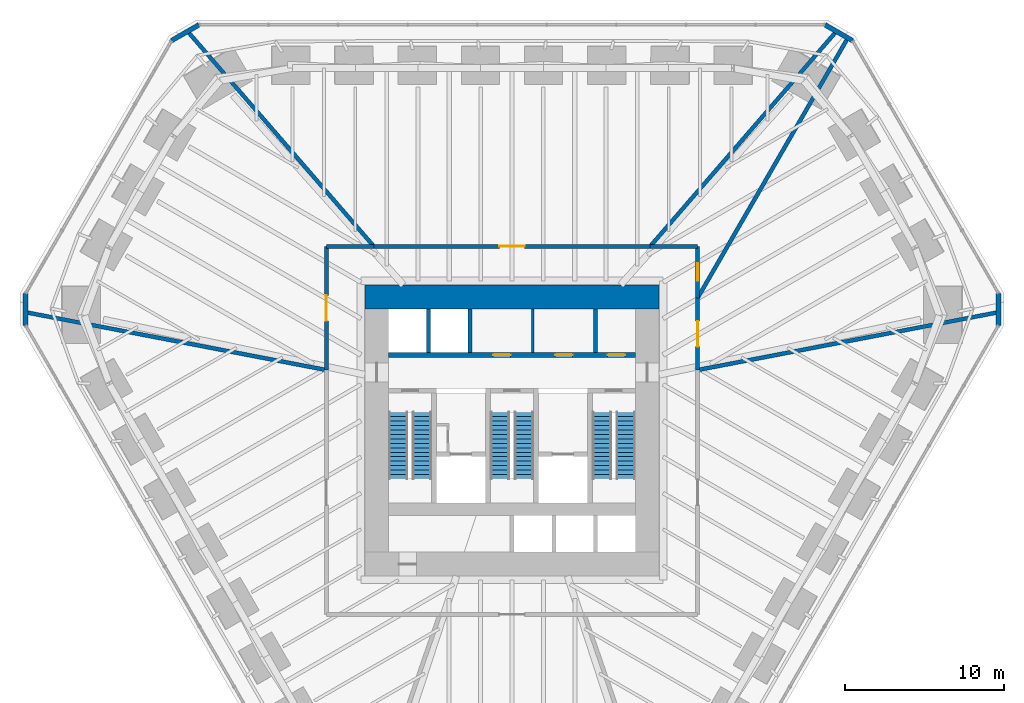
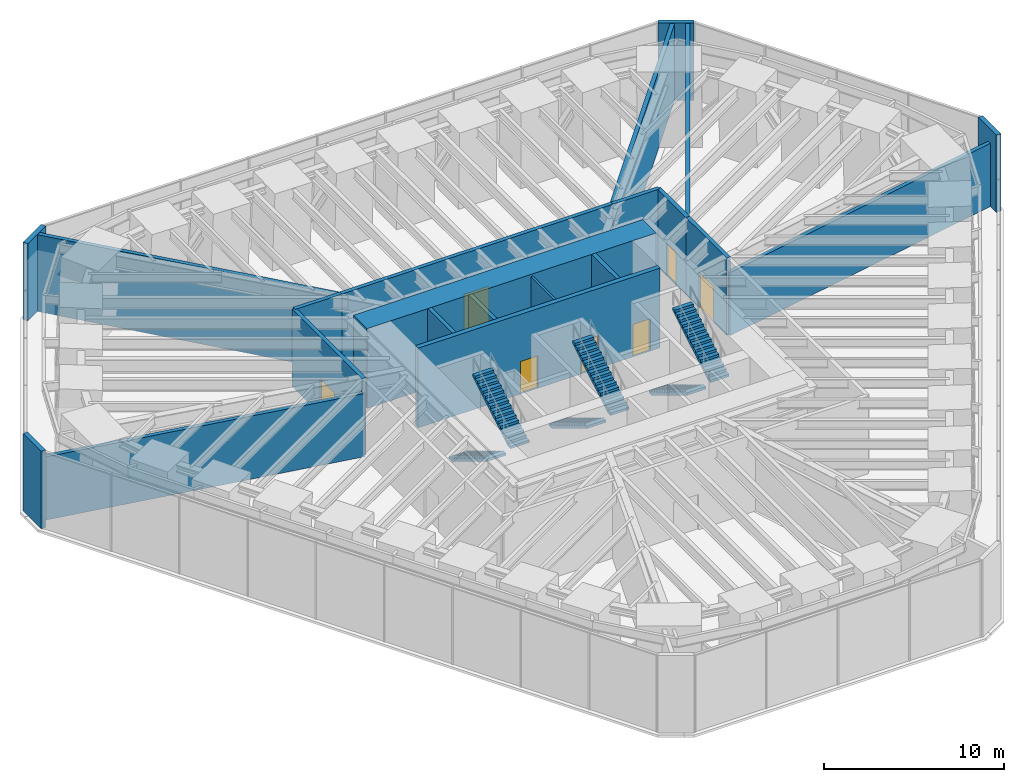
# One storey, part 12 of 13: 21 walls, 7 doors, 6 stair flights, 7 openings, 3 elements without a shape of their own.
"""IFC4 building model written with IfcOpenShell, lengths in metres."""

from ifc_helpers import new_model, si_unit, direction, frame, frame_2d, origin, place, context, subcontext, project, spatial, polyline, rectangle, outline, extrude, material, layer, layer_set, type_object, element, fill, aggregate, save


model = new_model("IFC4")

# Units and contexts
model_context = context("Model", 3, precision=1e-05, world=origin(), true_north=direction((0.0, 1.0)))
body_context = subcontext(model_context, "Body", "Model", "MODEL_VIEW")
ifc_project = project(units=[si_unit("LENGTHUNIT", "METRE"), si_unit("AREAUNIT", "SQUARE_METRE"), si_unit("VOLUMEUNIT", "CUBIC_METRE"), si_unit("PLANEANGLEUNIT", "RADIAN"), si_unit("MASSUNIT", "GRAM", prefix="KILO")], contexts=[model_context])

# Site, building, storey
site_placement = place(None, origin())
site = spatial("IfcSite", under=ifc_project, at=site_placement, CompositionType="ELEMENT")
building_placement = place(site_placement, origin())
building = spatial("IfcBuilding", under=site, at=building_placement, Name="Sandreach Pilgrim Tower", CompositionType="ELEMENT")
storey_placement = place(building_placement, frame((0.0, 0.0, 91.39990234375)))
storey = spatial("IfcBuildingStorey", under=building, at=storey_placement, Name="L22", CompositionType="ELEMENT", Elevation=91.39990234375)

# Wall
ifc_material_1 = material(Name="Gypsum board on steel studs", Category="steel")
ifc_layer_1 = layer(ifc_material_1, 0.14990234375)
ifc_layer_set_1 = layer_set([ifc_layer_1], Name="Back of house wall 150")
wall_type_1 = type_object("IfcWallType", Name="Back of house wall 150", PredefinedType="PARTITIONING", material=ifc_layer_set_1)
wall_1_placement = place(storey_placement, frame((1.3125, 3.35009765625, 0.0), z_axis=(0.0, 0.0, 1.0), x_axis=(0.0, 1.0, 0.0)))
element("IfcWall", 1, at=wall_1_placement, inside=storey, type_object=wall_type_1, Name="Core room partition L22 1", PredefinedType="PARTITIONING", context=body_context, shape_type="SweptSolid", body=[
    extrude(rectangle(XDim=2.75, YDim=0.14990234375, at=frame_2d((1.375, 0.0))), origin(), (0.0, 0.0, 1.0), 5.239990234375),
])

# Wall, openings, doors
ifc_material_2 = material(Name="Concrete 10000 psi", Category="concrete")
ifc_layer_2 = layer(ifc_material_2, 0.300048828125)
ifc_layer_set_2 = layer_set([ifc_layer_2], Name="Core inner wall 300")
wall_type_2 = type_object("IfcWallType", Name="Core inner wall 300", PredefinedType="SHEAR", material=ifc_layer_set_2)
wall_2_placement = place(storey_placement, frame((-7.75, 3.199951171875, 0.0), z_axis=(0.0, 0.0, 1.0), x_axis=(1.0, 0.0, 0.0)))
wall_2 = element("IfcWall", 2, at=wall_2_placement, inside=storey, type_object=wall_type_2, Name="Core wall PN L22", PredefinedType="SHEAR", context=body_context, shape_type="SweptSolid", body=[
    extrude(rectangle(XDim=15.5, YDim=0.300048828125, at=frame_2d((7.75, 0.0))), origin(), (0.0, 0.0, 1.0), 5.400146484375),
])
opening_1_placement = place(wall_2_placement, frame((6.56884765625, 0.0, 0.0)))
opening_1 = element("IfcOpeningElement", 3, at=opening_1_placement, cuts=wall_2, Name="Opening D11L", PredefinedType="OPENING", context=body_context, shape_type="SweptSolid", body=[
    extrude(rectangle(XDim=1.10009765625, YDim=2.199951171875, at=frame_2d((0.550048828125, 1.10009765625))), frame((0.0, 0.14990234375, 0.0), z_axis=(0.0, -1.0, 0.0), x_axis=(1.0, 0.0, 0.0)), (0.0, 0.0, 1.0), 0.300048828125),
])
opening_2_placement = place(wall_2_placement, frame((10.456298828125, 0.0, 0.0)))
opening_2 = element("IfcOpeningElement", 4, at=opening_2_placement, cuts=wall_2, Name="Opening D11L", PredefinedType="OPENING", context=body_context, shape_type="SweptSolid", body=[
    extrude(rectangle(XDim=1.10009765625, YDim=2.199951171875, at=frame_2d((0.550048828125, 1.10009765625))), frame((0.0, 0.14990234375, 0.0), z_axis=(0.0, -1.0, 0.0), x_axis=(1.0, 0.0, 0.0)), (0.0, 0.0, 1.0), 0.300048828125),
])
opening_3_placement = place(wall_2_placement, frame((13.762451171875, 0.0, 0.0)))
opening_3 = element("IfcOpeningElement", 5, at=opening_3_placement, cuts=wall_2, Name="Opening D11L", PredefinedType="OPENING", context=body_context, shape_type="SweptSolid", body=[
    extrude(rectangle(XDim=1.10009765625, YDim=2.199951171875, at=frame_2d((0.550048828125, 1.10009765625))), frame((0.0, 0.14990234375, 0.0), z_axis=(0.0, -1.0, 0.0), x_axis=(1.0, 0.0, 0.0)), (0.0, 0.0, 1.0), 0.300048828125),
])
ifc_material_3 = material(Name="Steel door and frame, smoke seals", Category="steel")
door_type_1 = type_object("IfcDoorType", Name="Core room door", OperationType="SINGLE_SWING_LEFT", PredefinedType="DOOR", material=ifc_material_3)
door_1_placement = place(opening_1_placement, origin())
door_1 = element("IfcDoor", 6, at=door_1_placement, inside=storey, type_object=door_type_1, Name="Door plant store 22K1", OperationType="SINGLE_SWING_LEFT", OverallHeight=2.199951171875, OverallWidth=1.10009765625, PredefinedType="DOOR", context=body_context, shape_type="SweptSolid", body=[
    extrude(rectangle(XDim=1.10009765625, YDim=2.199951171875, at=frame_2d((0.550048828125, 1.10009765625))), frame((0.0, 0.02490234375, 0.0), z_axis=(0.0, -1.0, 0.0), x_axis=(1.0, 0.0, 0.0)), (0.0, 0.0, 1.0), 0.050048828125),
])
fill(opening_1, door_1)
door_2_placement = place(opening_2_placement, origin())
door_2 = element("IfcDoor", 7, at=door_2_placement, inside=storey, type_object=door_type_1, Name="Door plant spares store 22K2", OperationType="SINGLE_SWING_RIGHT", OverallHeight=2.199951171875, OverallWidth=1.10009765625, PredefinedType="DOOR", context=body_context, shape_type="SweptSolid", body=[
    extrude(rectangle(XDim=1.10009765625, YDim=2.199951171875, at=frame_2d((0.550048828125, 1.10009765625))), frame((0.0, 0.02490234375, 0.0), z_axis=(0.0, -1.0, 0.0), x_axis=(1.0, 0.0, 0.0)), (0.0, 0.0, 1.0), 0.050048828125),
])
fill(opening_2, door_2)
door_3_placement = place(opening_3_placement, origin())
door_3 = element("IfcDoor", 8, at=door_3_placement, inside=storey, type_object=door_type_1, Name="Door it room 22K3", OperationType="SINGLE_SWING_RIGHT", OverallHeight=2.199951171875, OverallWidth=1.10009765625, PredefinedType="DOOR", context=body_context, shape_type="SweptSolid", body=[
    extrude(rectangle(XDim=1.10009765625, YDim=2.199951171875, at=frame_2d((0.550048828125, 1.10009765625))), frame((0.0, 0.02490234375, 0.0), z_axis=(0.0, -1.0, 0.0), x_axis=(1.0, 0.0, 0.0)), (0.0, 0.0, 1.0), 0.050048828125),
])
fill(opening_3, door_3)

# Walls
ifc_material_4 = material(Name="Concrete 10000 psi", Category="concrete")
ifc_layer_3 = layer(ifc_material_4, 1.5)
ifc_layer_set_3 = layer_set([ifc_layer_3], Name="Core wall 1500")
wall_type_3 = type_object("IfcWallType", Name="Core wall 1500", PredefinedType="SHEAR", material=ifc_layer_set_3)
wall_3_placement = place(storey_placement, frame((-9.25, 6.85009765625, 0.0), z_axis=(0.0, 0.0, 1.0), x_axis=(1.0, 0.0, 0.0)))
element("IfcWall", 9, at=wall_3_placement, inside=storey, type_object=wall_type_3, Name="Core wall N L22", PredefinedType="SHEAR", context=body_context, shape_type="SweptSolid", body=[
    extrude(rectangle(XDim=18.5, YDim=1.5, at=frame_2d((9.25, 0.0))), origin(), (0.0, 0.0, 1.0), 5.400146484375),
])
ifc_material_5 = material(Name="Acoustic gypsum board wall, double frame", Category="gypsum")
ifc_layer_4 = layer(ifc_material_5, 0.25)
ifc_layer_set_4 = layer_set([ifc_layer_4], Name="Hall partition 250")
wall_type_4 = type_object("IfcWallType", Name="Hall partition 250", PredefinedType="PARTITIONING", material=ifc_layer_set_4)
wall_4_placement = place(storey_placement, frame((-30.590576171875, 5.88427734375, 0.0), z_axis=(0.0, 0.0, 1.0), x_axis=(0.982047909255, -0.188631662049, 0.0)))
element("IfcWall", 10, at=wall_4_placement, inside=storey, type_object=wall_type_4, Name="Hall partition L22-001", PredefinedType="PARTITIONING", context=body_context, shape_type="SweptSolid", body=[
    extrude(rectangle(XDim=19.2666015625, YDim=0.25, at=frame_2d((9.63330078125, 0.0))), origin(), (0.0, 0.0, 1.0), 4.27490234375),
])

# Wall, opening, door
wall_5_placement = place(storey_placement, frame((-11.669921875, 10.02001953125, 0.0), z_axis=(0.0, 0.0, 1.0), x_axis=(0.0, -1.0, 0.0)))
wall_5 = element("IfcWall", 11, at=wall_5_placement, inside=storey, type_object=wall_type_4, Name="Hall partition L22-004", PredefinedType="PARTITIONING", context=body_context, shape_type="SweptSolid", body=[
    extrude(rectangle(XDim=7.77001953125, YDim=0.25, at=frame_2d((3.885009765625, 0.0))), origin(), (0.0, 0.0, 1.0), 5.239990234375),
])
opening_4_placement = place(wall_5_placement, frame((3.0849609375, 0.0, 0.0)))
opening_4 = element("IfcOpeningElement", 12, at=opening_4_placement, cuts=wall_5, Name="Opening D16-06", PredefinedType="OPENING", context=body_context, shape_type="SweptSolid", body=[
    extrude(rectangle(XDim=1.60009765625, YDim=2.39990234375, at=frame_2d((0.800048828125, 1.199951171875))), frame((0.0, 0.125, 0.0), z_axis=(0.0, -1.0, 0.0), x_axis=(1.0, 0.0, 0.0)), (0.0, 0.0, 1.0), 0.25),
])
ifc_material_6 = material(Name="Steel door and frame", Category="steel")
door_type_2 = type_object("IfcDoorType", Name="Hall double door", OperationType="DOUBLE_DOOR_SINGLE_SWING", PredefinedType="DOOR", material=ifc_material_6)
door_4_placement = place(opening_4_placement, origin())
door_4 = element("IfcDoor", 13, at=door_4_placement, inside=storey, type_object=door_type_2, Name="Door 2206", OperationType="DOUBLE_DOOR_SINGLE_SWING", OverallHeight=2.39990234375, OverallWidth=1.60009765625, PredefinedType="DOOR", context=body_context, shape_type="SweptSolid", body=[
    extrude(rectangle(XDim=1.60009765625, YDim=2.39990234375, at=frame_2d((0.800048828125, 1.199951171875))), frame((0.0, 0.02490234375, 0.0), z_axis=(0.0, -1.0, 0.0), x_axis=(1.0, 0.0, 0.0)), (0.0, 0.0, 1.0), 0.050048828125),
])
fill(opening_4, door_4)

# Walls
wall_6_placement = place(storey_placement, frame((-8.679931640625, 10.02001953125, 0.0), z_axis=(0.0, 0.0, 1.0), x_axis=(-0.654827191867, 0.755778637427, 0.0)))
element("IfcWall", 14, at=wall_6_placement, inside=storey, type_object=wall_type_4, Name="Hall partition L22-006", PredefinedType="PARTITIONING", context=body_context, shape_type="SweptSolid", body=[
    extrude(rectangle(XDim=17.8984375, YDim=0.25, at=frame_2d((8.94921875, 0.0))), origin(), (0.0, 0.0, 1.0), 5.2001953125),
])
wall_7_placement = place(storey_placement, frame((-8.679931640625, 10.02001953125, 0.0), z_axis=(0.0, 0.0, 1.0), x_axis=(-1.0, 0.0, 0.0)))
element("IfcWall", 15, at=wall_7_placement, inside=storey, type_object=wall_type_4, Name="Hall partition L22-007", PredefinedType="PARTITIONING", context=body_context, shape_type="SweptSolid", body=[
    extrude(rectangle(XDim=2.989990234375, YDim=0.25, at=frame_2d((1.4951171875, 0.0))), origin(), (0.0, 0.0, 1.0), 5.239990234375),
])

# Wall, opening, door
wall_8_placement = place(storey_placement, frame((8.679931640625, 10.02001953125, 0.0), z_axis=(0.0, 0.0, 1.0), x_axis=(-1.0, 0.0, 0.0)))
wall_8 = element("IfcWall", 16, at=wall_8_placement, inside=storey, type_object=wall_type_4, Name="Hall partition L22-010", PredefinedType="PARTITIONING", context=body_context, shape_type="SweptSolid", body=[
    extrude(rectangle(XDim=17.35986328125, YDim=0.25, at=frame_2d((8.679931640625, 0.0))), origin(), (0.0, 0.0, 1.0), 5.239990234375),
])
opening_5_placement = place(wall_8_placement, frame((7.8798828125, 0.0, 0.0)))
opening_5 = element("IfcOpeningElement", 17, at=opening_5_placement, cuts=wall_8, Name="Opening D16-01", PredefinedType="OPENING", context=body_context, shape_type="SweptSolid", body=[
    extrude(rectangle(XDim=1.60009765625, YDim=2.39990234375, at=frame_2d((0.800048828125, 1.199951171875))), frame((0.0, 0.125, 0.0), z_axis=(0.0, -1.0, 0.0), x_axis=(1.0, 0.0, 0.0)), (0.0, 0.0, 1.0), 0.25),
])
door_5_placement = place(opening_5_placement, origin())
door_5 = element("IfcDoor", 18, at=door_5_placement, inside=storey, type_object=door_type_2, Name="Door 2201", OperationType="DOUBLE_DOOR_SINGLE_SWING", OverallHeight=2.39990234375, OverallWidth=1.60009765625, PredefinedType="DOOR", context=body_context, shape_type="SweptSolid", body=[
    extrude(rectangle(XDim=1.60009765625, YDim=2.39990234375, at=frame_2d((0.800048828125, 1.199951171875))), frame((0.0, 0.02490234375, 0.0), z_axis=(0.0, -1.0, 0.0), x_axis=(1.0, 0.0, 0.0)), (0.0, 0.0, 1.0), 0.050048828125),
])
fill(opening_5, door_5)

wall_9_placement = place(storey_placement, frame((11.669921875, 2.25, 0.0), z_axis=(0.0, 0.0, 1.0), x_axis=(0.0, 1.0, 0.0)))
wall_9 = element("IfcWall", 19, at=wall_9_placement, inside=storey, type_object=wall_type_4, Name="Hall partition L22-013", PredefinedType="PARTITIONING", context=body_context, shape_type="SweptSolid", body=[
    extrude(rectangle(XDim=4.530029296875, YDim=0.25, at=frame_2d((2.26513671875, 0.0))), origin(), (0.0, 0.0, 1.0), 5.239990234375),
])
opening_6_placement = place(wall_9_placement, frame((1.465087890625, 0.0, 0.0)))
opening_6 = element("IfcOpeningElement", 20, at=opening_6_placement, cuts=wall_9, Name="Opening D16-02", PredefinedType="OPENING", context=body_context, shape_type="SweptSolid", body=[
    extrude(rectangle(XDim=1.60009765625, YDim=2.39990234375, at=frame_2d((0.800048828125, 1.199951171875))), frame((0.0, 0.125, 0.0), z_axis=(0.0, -1.0, 0.0), x_axis=(1.0, 0.0, 0.0)), (0.0, 0.0, 1.0), 0.25),
])
door_6_placement = place(opening_6_placement, origin())
door_6 = element("IfcDoor", 21, at=door_6_placement, inside=storey, type_object=door_type_2, Name="Door 2202", OperationType="DOUBLE_DOOR_SINGLE_SWING", OverallHeight=2.39990234375, OverallWidth=1.60009765625, PredefinedType="DOOR", context=body_context, shape_type="SweptSolid", body=[
    extrude(rectangle(XDim=1.60009765625, YDim=2.39990234375, at=frame_2d((0.800048828125, 1.199951171875))), frame((0.0, 0.02490234375, 0.0), z_axis=(0.0, -1.0, 0.0), x_axis=(1.0, 0.0, 0.0)), (0.0, 0.0, 1.0), 0.050048828125),
])
fill(opening_6, door_6)

wall_10_placement = place(storey_placement, frame((11.669921875, 6.780029296875, 0.0), z_axis=(0.0, 0.0, 1.0), x_axis=(0.0, 1.0, 0.0)))
wall_10 = element("IfcWall", 22, at=wall_10_placement, inside=storey, type_object=wall_type_4, Name="Hall partition L22-014", PredefinedType="PARTITIONING", context=body_context, shape_type="SweptSolid", body=[
    extrude(rectangle(XDim=3.239990234375, YDim=0.25, at=frame_2d((1.6201171875, 0.0))), origin(), (0.0, 0.0, 1.0), 5.239990234375),
])
opening_7_placement = place(wall_10_placement, frame((1.070068359375, 0.0, 0.0)))
opening_7 = element("IfcOpeningElement", 23, at=opening_7_placement, cuts=wall_10, Name="Opening D11H-N1", PredefinedType="OPENING", context=body_context, shape_type="SweptSolid", body=[
    extrude(rectangle(XDim=1.10009765625, YDim=2.199951171875, at=frame_2d((0.550048828125, 1.10009765625))), frame((0.0, 0.125, 0.0), z_axis=(0.0, -1.0, 0.0), x_axis=(1.0, 0.0, 0.0)), (0.0, 0.0, 1.0), 0.25),
])
ifc_material_7 = material(Name="Steel door and frame", Category="steel")
door_type_3 = type_object("IfcDoorType", Name="Back of house door", OperationType="SINGLE_SWING_LEFT", PredefinedType="DOOR", material=ifc_material_7)
door_7_placement = place(opening_7_placement, origin())
door_7 = element("IfcDoor", 24, at=door_7_placement, inside=storey, type_object=door_type_3, Name="Door 22N1", OperationType="SINGLE_SWING_LEFT", OverallHeight=2.199951171875, OverallWidth=1.10009765625, PredefinedType="DOOR", context=body_context, shape_type="SweptSolid", body=[
    extrude(rectangle(XDim=1.10009765625, YDim=2.199951171875, at=frame_2d((0.550048828125, 1.10009765625))), frame((0.0, 0.02490234375, 0.0), z_axis=(0.0, -1.0, 0.0), x_axis=(1.0, 0.0, 0.0)), (0.0, 0.0, 1.0), 0.050048828125),
])
fill(opening_7, door_7)

# Walls
wall_11_placement = place(storey_placement, frame((11.669921875, 6.780029296875, 0.0), z_axis=(0.0, 0.0, 1.0), x_axis=(0.500122303093, 0.865954780545, 0.0)))
element("IfcWall", 25, at=wall_11_placement, inside=storey, type_object=wall_type_4, Name="Hall partition L22-015", PredefinedType="PARTITIONING", context=body_context, shape_type="SweptSolid", body=[
    extrude(rectangle(XDim=18.885498046875, YDim=0.25, at=frame_2d((9.44287109375, 0.0))), origin(), (0.0, 0.0, 1.0), 5.2001953125),
])
wall_12_placement = place(storey_placement, frame((11.669921875, 10.02001953125, 0.0), z_axis=(0.0, 0.0, 1.0), x_axis=(-1.0, 0.0, 0.0)))
element("IfcWall", 26, at=wall_12_placement, inside=storey, type_object=wall_type_4, Name="Hall partition L22-016", PredefinedType="PARTITIONING", context=body_context, shape_type="SweptSolid", body=[
    extrude(rectangle(XDim=2.989990234375, YDim=0.25, at=frame_2d((1.4951171875, 0.0))), origin(), (0.0, 0.0, 1.0), 5.239990234375),
])
wall_13_placement = place(storey_placement, frame((20.400390625, 23.54736328125, 0.0), z_axis=(0.0, 0.0, 1.0), x_axis=(-0.654827191867, -0.755778637427, 0.0)))
element("IfcWall", 27, at=wall_13_placement, inside=storey, type_object=wall_type_4, Name="Hall partition L22-017", PredefinedType="PARTITIONING", context=body_context, shape_type="SweptSolid", body=[
    extrude(rectangle(XDim=17.8984375, YDim=0.25, at=frame_2d((8.94921875, 0.0))), origin(), (0.0, 0.0, 1.0), 5.2001953125),
])
wall_14_placement = place(storey_placement, frame((30.590576171875, 5.88427734375, 0.0), z_axis=(0.0, 0.0, 1.0), x_axis=(-0.982047909255, -0.188631662049, 0.0)))
element("IfcWall", 28, at=wall_14_placement, inside=storey, type_object=wall_type_4, Name="Hall partition L22-018", PredefinedType="PARTITIONING", context=body_context, shape_type="SweptSolid", body=[
    extrude(rectangle(XDim=19.2666015625, YDim=0.25, at=frame_2d((9.63330078125, 0.0))), origin(), (0.0, 0.0, 1.0), 4.27490234375),
])
ifc_material_8 = material(Name="Gypsum shaft wall on steel studs, two layers of shaft liner board", Category="steel")
ifc_layer_5 = layer(ifc_material_8, 0.25)
ifc_layer_set_5 = layer_set([ifc_layer_5], Name="Shaft partition 250")
wall_type_5 = type_object("IfcWallType", Name="Shaft partition 250", PredefinedType="PARTITIONING", material=ifc_layer_set_5)
for number, where, z_axis, x_axis, name in (
    (29, (-5.25, 3.35009765625, 0.0), (0.0, 0.0, 1.0), (0.0, 1.0, 0.0), "Shaft partition NS0 L22"),
    (30, (-2.625, 3.35009765625, 0.0), (0.0, 0.0, 1.0), (0.0, 1.0, 0.0), "Shaft partition NS1 L22"),
    (31, (5.25, 3.35009765625, 0.0), (0.0, 0.0, 1.0), (0.0, 1.0, 0.0), "Shaft partition NS4 L22"),
):
    element("IfcWall", number, at=place(storey_placement, frame(where, z_axis=z_axis, x_axis=x_axis)), inside=storey, type_object=wall_type_5, Name=name, PredefinedType="PARTITIONING", context=body_context, shape_type="SweptSolid", body=[
        extrude(rectangle(XDim=2.75, YDim=0.25, at=frame_2d((1.375, 0.0))), origin(), (0.0, 0.0, 1.0), 5.400146484375),
    ])
ifc_material_9 = material(Name="Terracotta rainscreen on concrete", Category="masonry")
ifc_layer_6 = layer(ifc_material_9, 0.300048828125)
ifc_layer_set_6 = layer_set([ifc_layer_6], Name="Terracotta chamfer pier")
wall_type_6 = type_object("IfcWallType", Name="Terracotta chamfer pier", PredefinedType="SOLIDWALL", material=ifc_layer_set_6)
for number, where, z_axis, x_axis, name in (
    (32, (19.672119140625, 23.94873046875, 0.0), (0.0, 0.0, 1.0), (0.866010750942, -0.50002537861, 0.0), "Chamfer pier L22 N"),
    (33, (30.576171875, 7.062255859375, 0.0), (0.0, 0.0, 1.0), (0.0, -1.0, 0.0), "Chamfer pier L22 NE"),
    (34, (-30.576171875, 5.062255859375, 0.0), (0.0, 0.0, 1.0), (0.0, 1.0, 0.0), "Chamfer pier L22 SW"),
    (35, (-21.404052734375, 22.94873046875, 0.0), (0.0, 0.0, 1.0), (0.866010750942, 0.50002537861, 0.0), "Chamfer pier L22 NW"),
):
    element("IfcWall", number, at=place(storey_placement, frame(where, z_axis=z_axis, x_axis=x_axis)), inside=storey, type_object=wall_type_6, Name=name, PredefinedType="SOLIDWALL", context=body_context, shape_type="SweptSolid", body=[
        extrude(rectangle(XDim=2.0, YDim=0.300048828125, at=frame_2d((1.0, 0.0))), origin(), (0.0, 0.0, 1.0), 5.239990234375),
    ])

# Stair, stair flights
ifc_material_10 = material(Name="Concrete 8000 psi", Category="concrete")
stair_type = type_object("IfcStairType", Name="Core exit stair", PredefinedType="HALF_TURN_STAIR", material=ifc_material_10)
stair_1_placement = place(storey_placement, origin())
stair_1 = element("IfcStair", 36, at=stair_1_placement, inside=storey, type_object=stair_type, Name="Exit stair ST1 L22", PredefinedType="HALF_TURN_STAIR")
ifc_material_11 = material(Name="Concrete 8000 psi", Category="concrete")
stair_flight_type = type_object("IfcStairFlightType", Name="Core stair flight 1200", PredefinedType="STRAIGHT", material=ifc_material_11)
stair_flight_1_placement = place(storey_placement, frame((-7.14990234375, -0.39990234375, 0.0), z_axis=(0.0, 0.0, 1.0), x_axis=(0.0, -1.0, 0.0)))
stair_flight_1 = element("IfcStairFlight", 37, at=stair_flight_1_placement, type_object=stair_flight_type, Name="ST1 flight 1", NumberOfRisers=16, NumberOfTreads=15, PredefinedType="STRAIGHT", RiserHeight=0.16875, TreadLength=0.28, context=body_context, shape_type="SweptSolid", body=[
    extrude(outline(polyline([(0.0, 0.0), (0.0, 0.168701171875), (0.280029296875, 0.168701171875), (0.280029296875, 0.33740234375), (0.56005859375, 0.33740234375), (0.56005859375, 0.50634765625), (0.840087890625, 0.50634765625), (0.840087890625, 0.675048828125), (1.1201171875, 0.675048828125), (1.1201171875, 0.84375), (1.39990234375, 0.84375), (1.39990234375, 1.012451171875), (1.679931640625, 1.012451171875), (1.679931640625, 1.18115234375), (1.9599609375, 1.18115234375), (1.9599609375, 1.35009765625), (2.239990234375, 1.35009765625), (2.239990234375, 1.518798828125), (2.52001953125, 1.518798828125), (2.52001953125, 1.6875), (2.800048828125, 1.6875), (2.800048828125, 1.856201171875), (3.080078125, 1.856201171875), (3.080078125, 2.02490234375), (3.360107421875, 2.02490234375), (3.360107421875, 2.19384765625), (3.639892578125, 2.19384765625), (3.639892578125, 2.362548828125), (3.919921875, 2.362548828125), (3.919921875, 2.53125), (4.199951171875, 2.53125), (4.199951171875, 2.699951171875), (4.199951171875, 2.356201171875), (0.29052734375, 0.0), (0.0, 0.0)])), frame((0.0, 0.60009765625, 0.0), z_axis=(0.0, -1.0, 0.0), x_axis=(1.0, 0.0, 0.0)), (0.0, 0.0, 1.0), 1.199951171875),
])
stair_flight_2_placement = place(storey_placement, frame((-5.64990234375, -4.60009765625, 2.7001953125), z_axis=(0.0, 0.0, 1.0), x_axis=(0.0, 1.0, 0.0)))
stair_flight_2 = element("IfcStairFlight", 38, at=stair_flight_2_placement, type_object=stair_flight_type, Name="ST1 flight 2", NumberOfRisers=16, NumberOfTreads=15, PredefinedType="STRAIGHT", RiserHeight=0.16875, TreadLength=0.28, context=body_context, shape_type="SweptSolid", body=[
    extrude(outline(polyline([(0.0, 0.0), (0.0, 0.168701171875), (0.280029296875, 0.168701171875), (0.280029296875, 0.33740234375), (0.56005859375, 0.33740234375), (0.56005859375, 0.50634765625), (0.840087890625, 0.50634765625), (0.840087890625, 0.675048828125), (1.1201171875, 0.675048828125), (1.1201171875, 0.84375), (1.39990234375, 0.84375), (1.39990234375, 1.012451171875), (1.679931640625, 1.012451171875), (1.679931640625, 1.18115234375), (1.9599609375, 1.18115234375), (1.9599609375, 1.35009765625), (2.239990234375, 1.35009765625), (2.239990234375, 1.518798828125), (2.52001953125, 1.518798828125), (2.52001953125, 1.6875), (2.800048828125, 1.6875), (2.800048828125, 1.856201171875), (3.080078125, 1.856201171875), (3.080078125, 2.02490234375), (3.360107421875, 2.02490234375), (3.360107421875, 2.19384765625), (3.639892578125, 2.19384765625), (3.639892578125, 2.362548828125), (3.919921875, 2.362548828125), (3.919921875, 2.53125), (4.199951171875, 2.53125), (4.199951171875, 2.699951171875), (4.199951171875, 2.356201171875), (0.29052734375, 0.0), (0.0, 0.0)])), frame((0.0, 0.60009765625, 0.0), z_axis=(0.0, -1.0, 0.0), x_axis=(1.0, 0.0, 0.0)), (0.0, 0.0, 1.0), 1.199951171875),
])
aggregate(stair_1, [stair_flight_1, stair_flight_2])

stair_2_placement = place(storey_placement, origin())
stair_2 = element("IfcStair", 39, at=stair_2_placement, inside=storey, type_object=stair_type, Name="Exit stair ST3 L22", PredefinedType="HALF_TURN_STAIR")
stair_flight_3_placement = place(storey_placement, frame((-0.75, -0.39990234375, 0.0), z_axis=(0.0, 0.0, 1.0), x_axis=(0.0, -1.0, 0.0)))
stair_flight_3 = element("IfcStairFlight", 40, at=stair_flight_3_placement, type_object=stair_flight_type, Name="ST3 flight 1", NumberOfRisers=16, NumberOfTreads=15, PredefinedType="STRAIGHT", RiserHeight=0.16875, TreadLength=0.28, context=body_context, shape_type="SweptSolid", body=[
    extrude(outline(polyline([(0.0, 0.0), (0.0, 0.168701171875), (0.280029296875, 0.168701171875), (0.280029296875, 0.33740234375), (0.56005859375, 0.33740234375), (0.56005859375, 0.50634765625), (0.840087890625, 0.50634765625), (0.840087890625, 0.675048828125), (1.1201171875, 0.675048828125), (1.1201171875, 0.84375), (1.39990234375, 0.84375), (1.39990234375, 1.012451171875), (1.679931640625, 1.012451171875), (1.679931640625, 1.18115234375), (1.9599609375, 1.18115234375), (1.9599609375, 1.35009765625), (2.239990234375, 1.35009765625), (2.239990234375, 1.518798828125), (2.52001953125, 1.518798828125), (2.52001953125, 1.6875), (2.800048828125, 1.6875), (2.800048828125, 1.856201171875), (3.080078125, 1.856201171875), (3.080078125, 2.02490234375), (3.360107421875, 2.02490234375), (3.360107421875, 2.19384765625), (3.639892578125, 2.19384765625), (3.639892578125, 2.362548828125), (3.919921875, 2.362548828125), (3.919921875, 2.53125), (4.199951171875, 2.53125), (4.199951171875, 2.699951171875), (4.199951171875, 2.356201171875), (0.29052734375, 0.0), (0.0, 0.0)])), frame((0.0, 0.60009765625, 0.0), z_axis=(0.0, -1.0, 0.0), x_axis=(1.0, 0.0, 0.0)), (0.0, 0.0, 1.0), 1.199951171875),
])
stair_flight_4_placement = place(storey_placement, frame((0.75, -4.60009765625, 2.7001953125), z_axis=(0.0, 0.0, 1.0), x_axis=(0.0, 1.0, 0.0)))
stair_flight_4 = element("IfcStairFlight", 41, at=stair_flight_4_placement, type_object=stair_flight_type, Name="ST3 flight 2", NumberOfRisers=16, NumberOfTreads=15, PredefinedType="STRAIGHT", RiserHeight=0.16875, TreadLength=0.28, context=body_context, shape_type="SweptSolid", body=[
    extrude(outline(polyline([(0.0, 0.0), (0.0, 0.168701171875), (0.280029296875, 0.168701171875), (0.280029296875, 0.33740234375), (0.56005859375, 0.33740234375), (0.56005859375, 0.50634765625), (0.840087890625, 0.50634765625), (0.840087890625, 0.675048828125), (1.1201171875, 0.675048828125), (1.1201171875, 0.84375), (1.39990234375, 0.84375), (1.39990234375, 1.012451171875), (1.679931640625, 1.012451171875), (1.679931640625, 1.18115234375), (1.9599609375, 1.18115234375), (1.9599609375, 1.35009765625), (2.239990234375, 1.35009765625), (2.239990234375, 1.518798828125), (2.52001953125, 1.518798828125), (2.52001953125, 1.6875), (2.800048828125, 1.6875), (2.800048828125, 1.856201171875), (3.080078125, 1.856201171875), (3.080078125, 2.02490234375), (3.360107421875, 2.02490234375), (3.360107421875, 2.19384765625), (3.639892578125, 2.19384765625), (3.639892578125, 2.362548828125), (3.919921875, 2.362548828125), (3.919921875, 2.53125), (4.199951171875, 2.53125), (4.199951171875, 2.699951171875), (4.199951171875, 2.356201171875), (0.29052734375, 0.0), (0.0, 0.0)])), frame((0.0, 0.60009765625, 0.0), z_axis=(0.0, -1.0, 0.0), x_axis=(1.0, 0.0, 0.0)), (0.0, 0.0, 1.0), 1.199951171875),
])
aggregate(stair_2, [stair_flight_3, stair_flight_4])

stair_3_placement = place(storey_placement, origin())
stair_3 = element("IfcStair", 42, at=stair_3_placement, inside=storey, type_object=stair_type, Name="Exit stair ST2 L22", PredefinedType="HALF_TURN_STAIR")
stair_flight_5_placement = place(storey_placement, frame((5.64990234375, -0.39990234375, 0.0), z_axis=(0.0, 0.0, 1.0), x_axis=(0.0, -1.0, 0.0)))
stair_flight_5 = element("IfcStairFlight", 43, at=stair_flight_5_placement, type_object=stair_flight_type, Name="ST2 flight 1", NumberOfRisers=16, NumberOfTreads=15, PredefinedType="STRAIGHT", RiserHeight=0.16875, TreadLength=0.28, context=body_context, shape_type="SweptSolid", body=[
    extrude(outline(polyline([(0.0, 0.0), (0.0, 0.168701171875), (0.280029296875, 0.168701171875), (0.280029296875, 0.33740234375), (0.56005859375, 0.33740234375), (0.56005859375, 0.50634765625), (0.840087890625, 0.50634765625), (0.840087890625, 0.675048828125), (1.1201171875, 0.675048828125), (1.1201171875, 0.84375), (1.39990234375, 0.84375), (1.39990234375, 1.012451171875), (1.679931640625, 1.012451171875), (1.679931640625, 1.18115234375), (1.9599609375, 1.18115234375), (1.9599609375, 1.35009765625), (2.239990234375, 1.35009765625), (2.239990234375, 1.518798828125), (2.52001953125, 1.518798828125), (2.52001953125, 1.6875), (2.800048828125, 1.6875), (2.800048828125, 1.856201171875), (3.080078125, 1.856201171875), (3.080078125, 2.02490234375), (3.360107421875, 2.02490234375), (3.360107421875, 2.19384765625), (3.639892578125, 2.19384765625), (3.639892578125, 2.362548828125), (3.919921875, 2.362548828125), (3.919921875, 2.53125), (4.199951171875, 2.53125), (4.199951171875, 2.699951171875), (4.199951171875, 2.356201171875), (0.29052734375, 0.0), (0.0, 0.0)])), frame((0.0, 0.60009765625, 0.0), z_axis=(0.0, -1.0, 0.0), x_axis=(1.0, 0.0, 0.0)), (0.0, 0.0, 1.0), 1.199951171875),
])
stair_flight_6_placement = place(storey_placement, frame((7.14990234375, -4.60009765625, 2.7001953125), z_axis=(0.0, 0.0, 1.0), x_axis=(0.0, 1.0, 0.0)))
stair_flight_6 = element("IfcStairFlight", 44, at=stair_flight_6_placement, type_object=stair_flight_type, Name="ST2 flight 2", NumberOfRisers=16, NumberOfTreads=15, PredefinedType="STRAIGHT", RiserHeight=0.16875, TreadLength=0.28, context=body_context, shape_type="SweptSolid", body=[
    extrude(outline(polyline([(0.0, 0.0), (0.0, 0.168701171875), (0.280029296875, 0.168701171875), (0.280029296875, 0.33740234375), (0.56005859375, 0.33740234375), (0.56005859375, 0.50634765625), (0.840087890625, 0.50634765625), (0.840087890625, 0.675048828125), (1.1201171875, 0.675048828125), (1.1201171875, 0.84375), (1.39990234375, 0.84375), (1.39990234375, 1.012451171875), (1.679931640625, 1.012451171875), (1.679931640625, 1.18115234375), (1.9599609375, 1.18115234375), (1.9599609375, 1.35009765625), (2.239990234375, 1.35009765625), (2.239990234375, 1.518798828125), (2.52001953125, 1.518798828125), (2.52001953125, 1.6875), (2.800048828125, 1.6875), (2.800048828125, 1.856201171875), (3.080078125, 1.856201171875), (3.080078125, 2.02490234375), (3.360107421875, 2.02490234375), (3.360107421875, 2.19384765625), (3.639892578125, 2.19384765625), (3.639892578125, 2.362548828125), (3.919921875, 2.362548828125), (3.919921875, 2.53125), (4.199951171875, 2.53125), (4.199951171875, 2.699951171875), (4.199951171875, 2.356201171875), (0.29052734375, 0.0), (0.0, 0.0)])), frame((0.0, 0.60009765625, 0.0), z_axis=(0.0, -1.0, 0.0), x_axis=(1.0, 0.0, 0.0)), (0.0, 0.0, 1.0), 1.199951171875),
])
aggregate(stair_3, [stair_flight_5, stair_flight_6])

save(model, "model.ifc")
